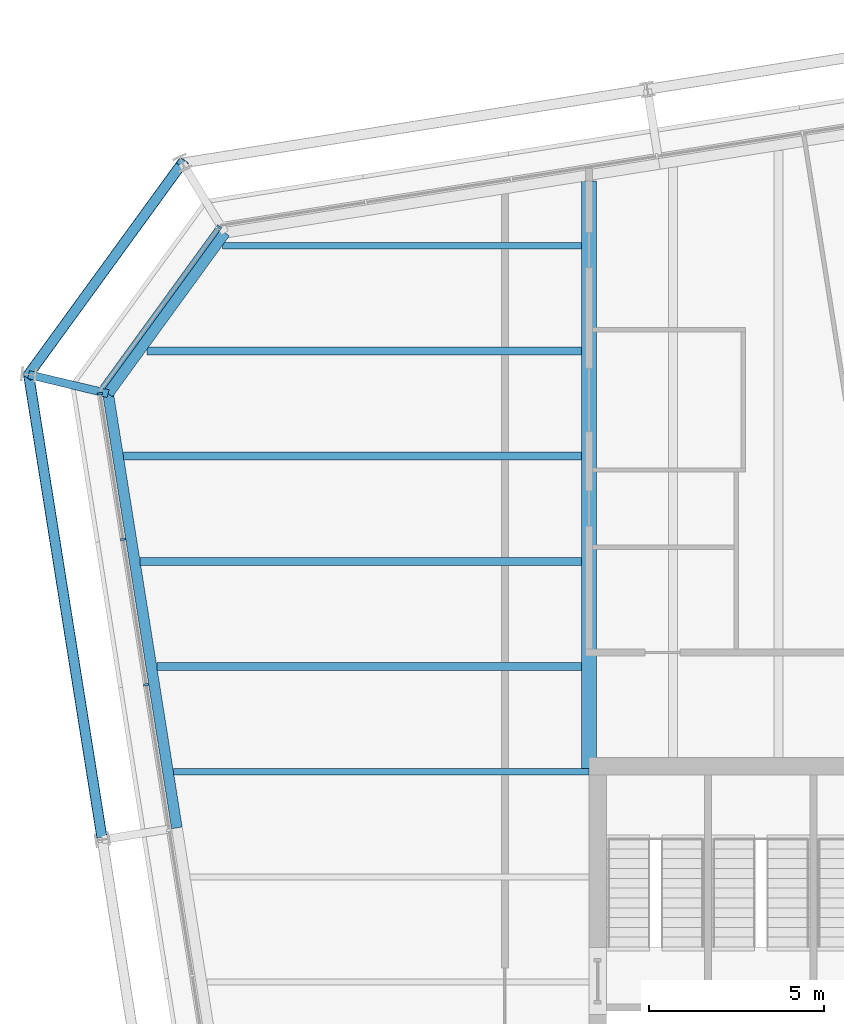
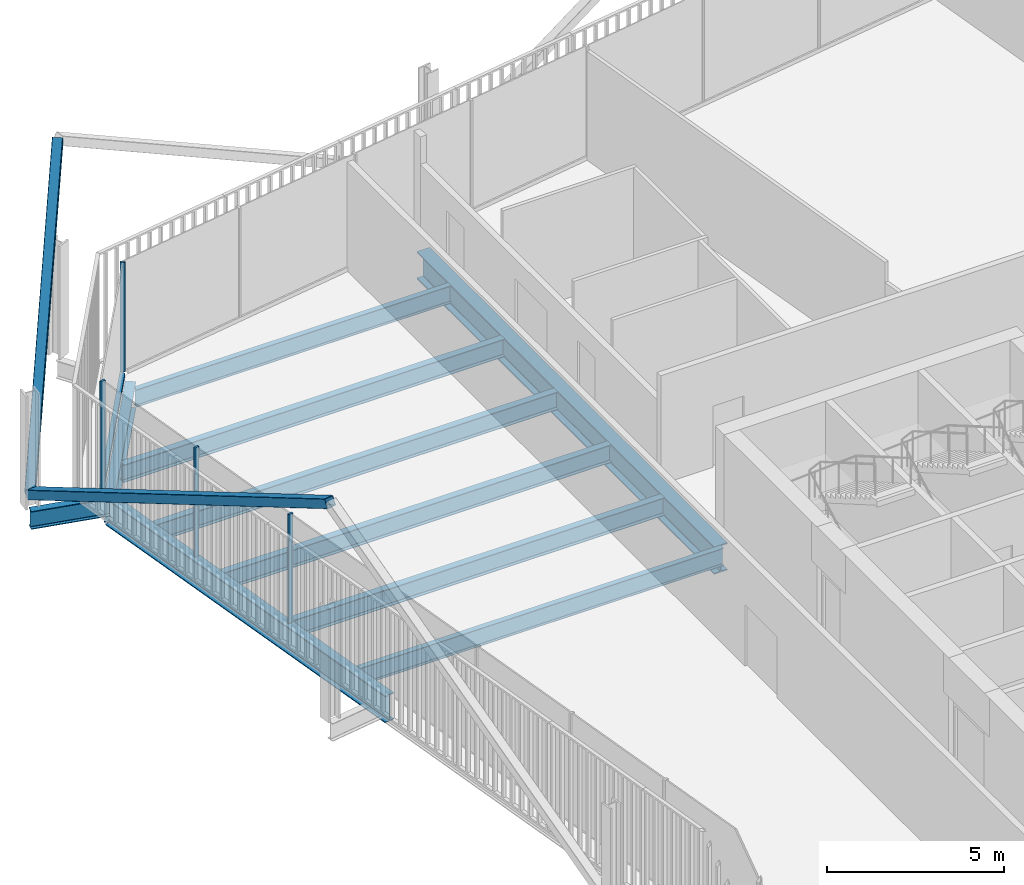
# One storey, part 11 of 21: 10 beams, 7 members, 2 elements without a shape of their own.
"""IFC4 building model written with IfcOpenShell, lengths in metres."""

from ifc_helpers import new_model, si_unit, direction, frame, origin, origin_2d, place, context, subcontext, project, spatial, rectangle, hollow_rectangle, i_section, extrude, material, layer, layer_set, material_profile, profile_set, type_object, element, aggregate, save


model = new_model("IFC4")

# Units and contexts
model_context = context("Model", 3, precision=1e-05, world=origin(), true_north=direction((0.0, 1.0)))
body_context = subcontext(model_context, "Body", "Model", "MODEL_VIEW")
ifc_project = project(units=[si_unit("LENGTHUNIT", "METRE"), si_unit("AREAUNIT", "SQUARE_METRE"), si_unit("VOLUMEUNIT", "CUBIC_METRE"), si_unit("PLANEANGLEUNIT", "RADIAN"), si_unit("MASSUNIT", "GRAM", prefix="KILO")], contexts=[model_context])

# Site, building, storey
site_placement = place(None, origin())
site = spatial("IfcSite", under=ifc_project, at=site_placement, CompositionType="ELEMENT")
building_placement = place(site_placement, origin())
building = spatial("IfcBuilding", under=site, at=building_placement, Name="Millrace Tower", CompositionType="ELEMENT")
storey_placement = place(building_placement, frame((0.0, 0.0, 228.10009765625)))
storey = spatial("IfcBuildingStorey", under=building, at=storey_placement, Name="L52", CompositionType="ELEMENT", Elevation=228.10009765625)

# Curtain wall, member
ifc_material_1 = material(Name="Aluminium and glass", Category="aluminium")
ifc_layer = layer(ifc_material_1, 0.14990234375)
ifc_layer_set = layer_set([ifc_layer], Name="Aluminium and glass")
curtain_wall_type = type_object("IfcCurtainWallType", Name="CW-1 office vision curtain wall", PredefinedType="NOTDEFINED", material=ifc_layer_set)
placement = place(storey_placement, origin())
curtain_wall_1 = element("IfcCurtainWall", 1, at=placement, inside=storey, type_object=curtain_wall_type, Name="Curtain wall D-F07 L52", PredefinedType="NOTDEFINED")
ifc_material_2 = material(Name="Aluminium", Category="aluminium")
ifc_material_profile_1 = material_profile(ifc_material_2, rectangle(XDim=0.06494140625, YDim=0.14990234375, at=origin_2d()))
ifc_profile_set_1 = profile_set([ifc_material_profile_1], Name="Aluminium")
member_type_1 = type_object("IfcMemberType", Name="CW-1 office vision curtain wall mullion", PredefinedType="MULLION", material=ifc_profile_set_1)
member_1_placement = place(storey_placement, frame((-24.945068359375, 24.528076171875, 0.139892578125), z_axis=(0.0, 0.0, 1.0), x_axis=(-0.587785305991, -0.809016955361, 0.0)))
member_1 = element("IfcMember", 2, at=member_1_placement, type_object=member_type_1, Name="CW1 mullion D-F07.1", PredefinedType="MULLION", context=body_context, shape_type="SweptSolid", body=[
    extrude(rectangle(XDim=0.06494140625, YDim=0.14990234375, at=origin_2d()), origin(), (0.0, 0.0, 1.0), 3.760009765625),
])

# Curtain wall, members
curtain_wall_2 = element("IfcCurtainWall", 3, at=placement, inside=storey, type_object=curtain_wall_type, Name="Curtain wall D-F08 L52", PredefinedType="NOTDEFINED")
member_2_placement = place(storey_placement, frame((-28.342529296875, 19.775390625, 0.139892578125), z_axis=(0.0, 0.0, 1.0), x_axis=(0.156434471884, -0.987688339511, 0.0)))
member_2 = element("IfcMember", 4, at=member_2_placement, type_object=member_type_1, Name="CW1 mullion D-F08.1", PredefinedType="MULLION", context=body_context, shape_type="SweptSolid", body=[
    extrude(rectangle(XDim=0.06494140625, YDim=0.14990234375, at=origin_2d()), origin(), (0.0, 0.0, 1.0), 3.760009765625),
])
member_3_placement = place(storey_placement, frame((-27.685302734375, 15.627197265625, 0.139892578125), z_axis=(0.0, 0.0, 1.0), x_axis=(0.156434471884, -0.987688339511, 0.0)))
member_3 = element("IfcMember", 5, at=member_3_placement, type_object=member_type_1, Name="CW1 mullion D-F08.2", PredefinedType="MULLION", context=body_context, shape_type="SweptSolid", body=[
    extrude(rectangle(XDim=0.06494140625, YDim=0.14990234375, at=origin_2d()), origin(), (0.0, 0.0, 1.0), 3.760009765625),
])
member_4_placement = place(storey_placement, frame((-27.0283203125, 11.47900390625, 0.139892578125), z_axis=(0.0, 0.0, 1.0), x_axis=(0.156434471884, -0.987688339511, 0.0)))
member_4 = element("IfcMember", 6, at=member_4_placement, type_object=member_type_1, Name="CW1 mullion D-F08.3", PredefinedType="MULLION", context=body_context, shape_type="SweptSolid", body=[
    extrude(rectangle(XDim=0.06494140625, YDim=0.14990234375, at=origin_2d()), origin(), (0.0, 0.0, 1.0), 3.760009765625),
])
aggregate(curtain_wall_2, [member_2, member_3, member_4])

# Member
ifc_material_3 = material(Name="Aluminium", Category="aluminium")
ifc_material_profile_2 = material_profile(ifc_material_3, rectangle(XDim=0.14990234375, YDim=0.139892578125, at=origin_2d()))
ifc_profile_set_2 = profile_set([ifc_material_profile_2], Name="Aluminium")
member_type_2 = type_object("IfcMemberType", Name="CW-1 office vision curtain wall transom", PredefinedType="USERDEFINED", material=ifc_profile_set_2)
member_5_placement = place(storey_placement, frame((-24.98486328125, 24.473388671875, 0.06982421875), z_axis=(-0.587782670904, -0.809018869857, 0.0), x_axis=(0.809018869857, -0.587782670904, 0.0)))
member_5 = element("IfcMember", 7, at=member_5_placement, type_object=member_type_2, Name="CW1 transom D-F07.1", ObjectType="TRANSOM", PredefinedType="USERDEFINED", context=body_context, shape_type="SweptSolid", body=[
    extrude(rectangle(XDim=0.14990234375, YDim=0.139892578125, at=origin_2d()), origin(), (0.0, 0.0, 1.0), 5.59814453125),
])

aggregate(curtain_wall_1, [member_1, member_5])

# Members
ifc_material_4 = material(Name="Steel ASTM A500 Grade C", Category="steel")
ifc_material_profile_3 = material_profile(ifc_material_4, hollow_rectangle(XDim=0.3046875, YDim=0.3046875, WallThickness=0.0126953125, InnerFilletRadius=0.00634765625, OuterFilletRadius=0.01904296875, at=origin_2d()))
ifc_profile_set_3 = profile_set([ifc_material_profile_3], Name="Steel ASTM A500 Grade C")
member_type_3 = type_object("IfcMemberType", Name="Exoskeleton brace HSS12x12x1/2", PredefinedType="BRACE", material=ifc_profile_set_3)
member_6_placement = place(storey_placement, frame((-30.37841796875, 20.32470703125, 0.39990234375), z_axis=(0.42850795905, 0.589774395252, 0.684504997598), x_axis=(-0.809009310944, 0.587795827483, 0.0)))
element("IfcMember", 8, at=member_6_placement, inside=storey, type_object=member_type_3, Name="BRC-D-L52-13", PredefinedType="BRACE", context=body_context, shape_type="SweptSolid", body=[
    extrude(hollow_rectangle(XDim=0.3046875, YDim=0.3046875, WallThickness=0.0126953125, InnerFilletRadius=0.00634765625, OuterFilletRadius=0.01904296875, at=origin_2d()), origin(), (0.0, 0.0, 1.0), 10.226318359375),
])
member_7_placement = place(storey_placement, frame((-30.37841796875, 20.32470703125, 0.39990234375), z_axis=(0.138712380788, -0.87583551821, 0.462245627841), x_axis=(0.987689444837, 0.156427492975, 0.0)))
element("IfcMember", 9, at=member_7_placement, inside=storey, type_object=member_type_3, Name="BRC-D-L52-14", PredefinedType="BRACE", context=body_context, shape_type="SweptSolid", body=[
    extrude(hollow_rectangle(XDim=0.3046875, YDim=0.3046875, WallThickness=0.0126953125, InnerFilletRadius=0.00634765625, OuterFilletRadius=0.01904296875, at=origin_2d()), origin(), (0.0, 0.0, 1.0), 15.1435546875),
])

# Beams
ifc_material_5 = material(Name="Steel ASTM A992 Grade 50", Category="steel")
ifc_material_profile_4 = material_profile(ifc_material_5, i_section(OverallWidth=0.1787109375, OverallDepth=0.60205078125, WebThickness=0.010986328125, FlangeThickness=0.014892578125, FilletRadius=0.0126953125, at=origin_2d()))
ifc_profile_set_4 = profile_set([ifc_material_profile_4], Name="Steel ASTM A992 Grade 50")
beam_type_1 = type_object("IfcBeamType", Name="Floor beam W24x62", PredefinedType="JOIST", material=ifc_profile_set_4)
beam_1_placement = place(storey_placement, frame((-26.248779296875, 9.0, -0.461181640625), z_axis=(1.0, 0.0, 0.0), x_axis=(0.0, 1.0, 0.0)))
element("IfcBeam", 10, at=beam_1_placement, inside=storey, type_object=beam_type_1, Name="BM-D-L52-S1-S023", PredefinedType="JOIST", context=body_context, shape_type="SweptSolid", body=[
    extrude(i_section(OverallWidth=0.1787109375, OverallDepth=0.60205078125, WebThickness=0.010986328125, FlangeThickness=0.014892578125, FilletRadius=0.0126953125, at=origin_2d()), origin(), (0.0, 0.0, 1.0), 11.848876953125),
])
beam_2_placement = place(storey_placement, frame((-24.843994140625, 24.0, -0.461181640625), z_axis=(1.0, 0.0, 0.0), x_axis=(0.0, 1.0, 0.0)))
element("IfcBeam", 11, at=beam_2_placement, inside=storey, type_object=beam_type_1, Name="BM-D-L52-S1-S033", PredefinedType="JOIST", context=body_context, shape_type="SweptSolid", body=[
    extrude(i_section(OverallWidth=0.1787109375, OverallDepth=0.60205078125, WebThickness=0.010986328125, FlangeThickness=0.014892578125, FilletRadius=0.0126953125, at=origin_2d()), origin(), (0.0, 0.0, 1.0), 10.234375),
])
ifc_material_6 = material(Name="Steel ASTM A992 Grade 50", Category="steel")
ifc_material_profile_5 = material_profile(ifc_material_6, i_section(OverallWidth=0.228271484375, OverallDepth=0.607177734375, WebThickness=0.01123046875, FlangeThickness=0.017333984375, FilletRadius=0.0126953125, at=origin_2d()))
ifc_profile_set_5 = profile_set([ifc_material_profile_5], Name="Steel ASTM A992 Grade 50")
beam_type_2 = type_object("IfcBeamType", Name="Floor beam W24x76", PredefinedType="JOIST", material=ifc_profile_set_5)
beam_3_placement = place(storey_placement, frame((-26.723876953125, 12.0, -0.463623046875), z_axis=(1.0, 0.0, 0.0), x_axis=(0.0, 1.0, 0.0)))
element("IfcBeam", 12, at=beam_3_placement, inside=storey, type_object=beam_type_2, Name="BM-D-L52-S1-S025", PredefinedType="JOIST", context=body_context, shape_type="SweptSolid", body=[
    extrude(i_section(OverallWidth=0.228271484375, OverallDepth=0.607177734375, WebThickness=0.01123046875, FlangeThickness=0.017333984375, FilletRadius=0.0126953125, at=origin_2d()), origin(), (0.0, 0.0, 1.0), 12.1142578125),
])
beam_4_placement = place(storey_placement, frame((-27.198974609375, 15.0, -0.463623046875), z_axis=(1.0, 0.0, 0.0), x_axis=(0.0, 1.0, 0.0)))
element("IfcBeam", 13, at=beam_4_placement, inside=storey, type_object=beam_type_2, Name="BM-D-L52-S1-S027", PredefinedType="JOIST", context=body_context, shape_type="SweptSolid", body=[
    extrude(i_section(OverallWidth=0.228271484375, OverallDepth=0.607177734375, WebThickness=0.01123046875, FlangeThickness=0.017333984375, FilletRadius=0.0126953125, at=origin_2d()), origin(), (0.0, 0.0, 1.0), 12.58935546875),
])
beam_5_placement = place(storey_placement, frame((-27.674072265625, 18.0, -0.463623046875), z_axis=(1.0, 0.0, 0.0), x_axis=(0.0, 1.0, 0.0)))
element("IfcBeam", 14, at=beam_5_placement, inside=storey, type_object=beam_type_2, Name="BM-D-L52-S1-S029", PredefinedType="JOIST", context=body_context, shape_type="SweptSolid", body=[
    extrude(i_section(OverallWidth=0.228271484375, OverallDepth=0.607177734375, WebThickness=0.01123046875, FlangeThickness=0.017333984375, FilletRadius=0.0126953125, at=origin_2d()), origin(), (0.0, 0.0, 1.0), 13.064453125),
])
beam_6_placement = place(storey_placement, frame((-27.0078125, 21.0, -0.463623046875), z_axis=(1.0, 0.0, 0.0), x_axis=(0.0, 1.0, 0.0)))
element("IfcBeam", 15, at=beam_6_placement, inside=storey, type_object=beam_type_2, Name="BM-D-L52-S1-S031", PredefinedType="JOIST", context=body_context, shape_type="SweptSolid", body=[
    extrude(i_section(OverallWidth=0.228271484375, OverallDepth=0.607177734375, WebThickness=0.01123046875, FlangeThickness=0.017333984375, FilletRadius=0.0126953125, at=origin_2d()), origin(), (0.0, 0.0, 1.0), 12.398193359375),
])
ifc_material_7 = material(Name="Steel ASTM A992 Grade 50", Category="steel")
ifc_material_profile_6 = material_profile(ifc_material_7, i_section(OverallWidth=0.424072265625, OverallDepth=0.947509765625, WebThickness=0.02392578125, FlangeThickness=0.042724609375, FilletRadius=0.024169921875, at=origin_2d()))
ifc_profile_set_6 = profile_set([ifc_material_profile_6], Name="Steel ASTM A992 Grade 50")
beam_type_3 = type_object("IfcBeamType", Name="Girder medium span W36x302", PredefinedType="BEAM", material=ifc_profile_set_6)
beam_7_placement = place(storey_placement, frame((-14.39990234375, 9.092041015625, -0.6337890625), z_axis=(0.0, 1.0, 0.0), x_axis=(-1.0, 0.0, 0.0)))
element("IfcBeam", 16, at=beam_7_placement, inside=storey, type_object=beam_type_3, Name="BM-D-L52-S1-G054", PredefinedType="BEAM", context=body_context, shape_type="SweptSolid", body=[
    extrude(i_section(OverallWidth=0.424072265625, OverallDepth=0.947509765625, WebThickness=0.02392578125, FlangeThickness=0.042724609375, FilletRadius=0.024169921875, at=origin_2d()), origin(), (0.0, 0.0, 1.0), 16.756591796875),
])
ifc_material_8 = material(Name="Steel ASTM A992 Grade 50", Category="steel")
ifc_material_profile_7 = material_profile(ifc_material_8, i_section(OverallWidth=0.23046875, OverallDepth=0.6171875, WebThickness=0.01318359375, FlangeThickness=0.022216796875, FilletRadius=0.012939453125, at=origin_2d()))
ifc_profile_set_7 = profile_set([ifc_material_profile_7], Name="Steel ASTM A992 Grade 50")
beam_type_4 = type_object("IfcBeamType", Name="Link beam W24x94", PredefinedType="BEAM", material=ifc_profile_set_7)
beam_8_placement = place(storey_placement, frame((-28.11181640625, 19.780517578125, -0.46875), z_axis=(-0.972367333652, 0.233456138164, 0.0), x_axis=(-0.233456138164, -0.972367333652, 0.0)))
element("IfcBeam", 17, at=beam_8_placement, inside=storey, type_object=beam_type_4, Name="LNK-D-L52-S1-04", PredefinedType="BEAM", context=body_context, shape_type="SweptSolid", body=[
    extrude(i_section(OverallWidth=0.23046875, OverallDepth=0.6171875, WebThickness=0.01318359375, FlangeThickness=0.022216796875, FilletRadius=0.012939453125, at=origin_2d()), origin(), (0.0, 0.0, 1.0), 2.3310546875),
])
ifc_material_9 = material(Name="Steel ASTM A992 Grade 50", Category="steel")
ifc_material_profile_8 = material_profile(ifc_material_9, i_section(OverallWidth=0.307373046875, OverallDepth=0.927001953125, WebThickness=0.01953125, FlangeThickness=0.031982421875, FilletRadius=0.01904296875, at=origin_2d()))
ifc_profile_set_8 = profile_set([ifc_material_profile_8], Name="Steel ASTM A992 Grade 50")
beam_type_5 = type_object("IfcBeamType", Name="Ring beam medium span W36x194", PredefinedType="SPANDREL", material=ifc_profile_set_8)
beam_9_placement = place(storey_placement, frame((-26.150634765625, 7.3984375, -0.62353515625), z_axis=(-0.156438575049, 0.987687689625, 0.0), x_axis=(-0.987687689625, -0.156438575049, 0.0)))
element("IfcBeam", 18, at=beam_9_placement, inside=storey, type_object=beam_type_5, Name="RNG-D-L52-S1-03", PredefinedType="SPANDREL", context=body_context, shape_type="SweptSolid", body=[
    extrude(i_section(OverallWidth=0.307373046875, OverallDepth=0.927001953125, WebThickness=0.01953125, FlangeThickness=0.031982421875, FilletRadius=0.01904296875, at=origin_2d()), origin(), (0.0, 0.0, 1.0), 12.536376953125),
])
ifc_material_10 = material(Name="Steel ASTM A992 Grade 50", Category="steel")
ifc_material_profile_9 = material_profile(ifc_material_10, i_section(OverallWidth=0.307373046875, OverallDepth=0.927001953125, WebThickness=0.01953125, FlangeThickness=0.031982421875, FilletRadius=0.01904296875, at=origin_2d()))
ifc_profile_set_9 = profile_set([ifc_material_profile_9], Name="Steel ASTM A992 Grade 50")
beam_type_6 = type_object("IfcBeamType", Name="Ring beam short span W36x194", PredefinedType="SPANDREL", material=ifc_profile_set_9)
beam_10_placement = place(storey_placement, frame((-28.11181640625, 19.780517578125, -0.62353515625), z_axis=(0.587808154511, 0.809000354444, 0.0), x_axis=(-0.809000354444, 0.587808154511, 0.0)))
element("IfcBeam", 19, at=beam_10_placement, inside=storey, type_object=beam_type_6, Name="RNG-D-L52-S1-04", PredefinedType="SPANDREL", context=body_context, shape_type="SweptSolid", body=[
    extrude(i_section(OverallWidth=0.307373046875, OverallDepth=0.927001953125, WebThickness=0.01953125, FlangeThickness=0.031982421875, FilletRadius=0.01904296875, at=origin_2d()), origin(), (0.0, 0.0, 1.0), 5.671142578125),
])

save(model, "model.ifc")
